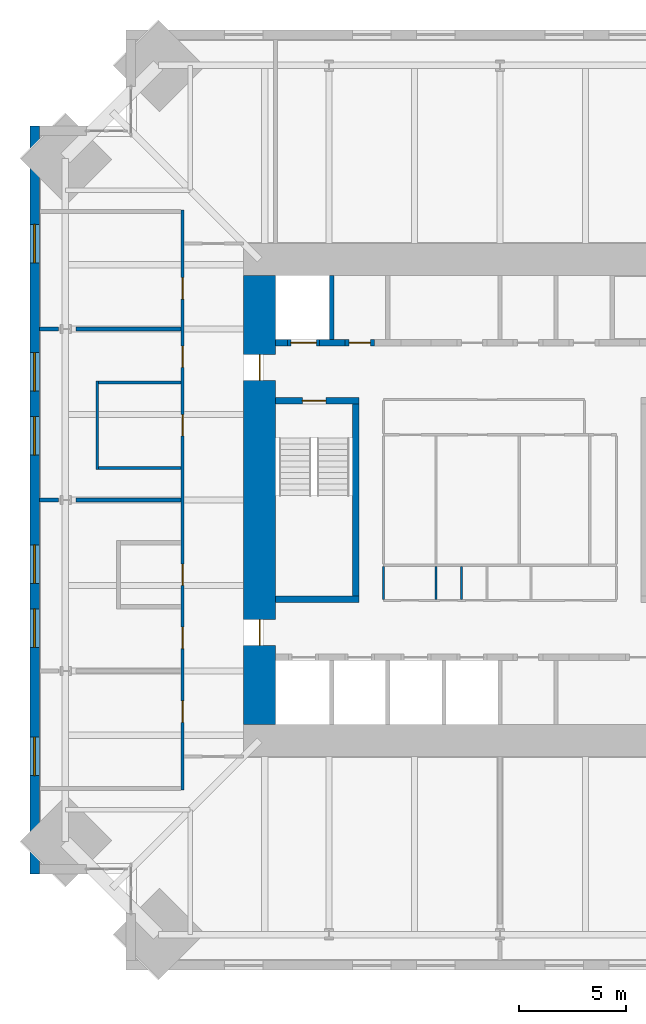
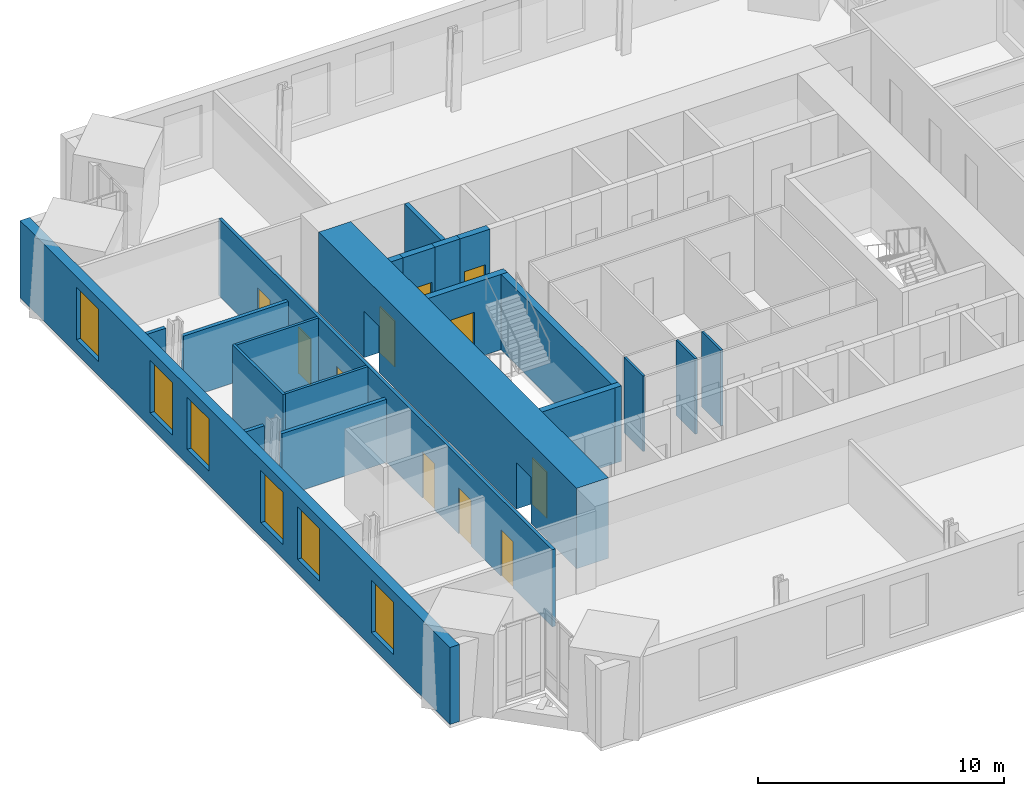
# One storey, part 12 of 16: 21 walls, 11 doors, 6 windows, 17 openings.
"""IFC4 building model written with IfcOpenShell, lengths in metres."""

from ifc_helpers import new_model, si_unit, direction, frame, frame_2d, origin, place, context, subcontext, project, spatial, rectangle, extrude, material, layer, layer_set, type_object, element, fill, save


model = new_model("IFC4")

# Units and contexts
model_context = context("Model", 3, precision=1e-05, world=origin(), true_north=direction((0.0, 1.0)))
body_context = subcontext(model_context, "Body", "Model", "MODEL_VIEW")
ifc_project = project(units=[si_unit("LENGTHUNIT", "METRE"), si_unit("AREAUNIT", "SQUARE_METRE"), si_unit("VOLUMEUNIT", "CUBIC_METRE"), si_unit("PLANEANGLEUNIT", "RADIAN"), si_unit("MASSUNIT", "GRAM", prefix="KILO")], contexts=[model_context])

# Site, building, storey
site_placement = place(None, origin())
site = spatial("IfcSite", under=ifc_project, at=site_placement, CompositionType="ELEMENT")
building_placement = place(site_placement, origin())
building = spatial("IfcBuilding", under=site, at=building_placement, Name="Peilmerk Tower", CompositionType="ELEMENT")
storey_placement = place(building_placement, frame((0.0, 0.0, 261.800048828125)))
storey = spatial("IfcBuildingStorey", under=building, at=storey_placement, Name="L58", CompositionType="ELEMENT", Elevation=261.800048828125)

# Wall, openings, windows
ifc_material_1 = material(Name="Precast concrete C45/55, board-marked finish", Category="concrete")
ifc_layer_1 = layer(ifc_material_1, 0.449951171875)
ifc_layer_set_1 = layer_set([ifc_layer_1], Name="Precast concrete C45/55, board-marked finish")
wall_type_1 = type_object("IfcWallType", Name="EW1 450 precast concrete facade wall, board-marked", PredefinedType="SOLIDWALL", material=ifc_layer_set_1)
wall_1_placement = place(storey_placement, frame((-21.77490234375, 17.5, 0.0), z_axis=(0.0, 0.0, 1.0), x_axis=(0.0, -1.0, 0.0)))
wall_1 = element("IfcWall", 1, at=wall_1_placement, inside=storey, type_object=wall_type_1, Name="Facade wall W L58", PredefinedType="SOLIDWALL", context=body_context, shape_type="SweptSolid", body=[
    extrude(rectangle(XDim=35.0, YDim=0.449951171875, at=frame_2d((17.5, 0.0))), origin(), (0.0, 0.0, 1.0), 3.829833984375),
])
opening_1_placement = place(wall_1_placement, frame((4.60009765625, 0.0, 0.699951171875)))
opening_1 = element("IfcOpeningElement", 2, at=opening_1_placement, cuts=wall_1, Name="Opening W1", PredefinedType="OPENING", context=body_context, shape_type="SweptSolid", body=[
    extrude(rectangle(XDim=1.800048828125, YDim=2.60009765625, at=frame_2d((0.89990234375, 1.300048828125))), frame((0.0, 0.23486328125, 0.0), z_axis=(0.0, -1.0, 0.0), x_axis=(1.0, 0.0, 0.0)), (0.0, 0.0, 1.0), 0.469970703125),
])
opening_2_placement = place(wall_1_placement, frame((10.60009765625, 0.0, 0.699951171875)))
opening_2 = element("IfcOpeningElement", 3, at=opening_2_placement, cuts=wall_1, Name="Opening W1", PredefinedType="OPENING", context=body_context, shape_type="SweptSolid", body=[
    extrude(rectangle(XDim=1.800048828125, YDim=2.60009765625, at=frame_2d((0.89990234375, 1.300048828125))), frame((0.0, 0.23486328125, 0.0), z_axis=(0.0, -1.0, 0.0), x_axis=(1.0, 0.0, 0.0)), (0.0, 0.0, 1.0), 0.469970703125),
])
opening_3_placement = place(wall_1_placement, frame((13.60009765625, 0.0, 0.699951171875)))
opening_3 = element("IfcOpeningElement", 4, at=opening_3_placement, cuts=wall_1, Name="Opening W1", PredefinedType="OPENING", context=body_context, shape_type="SweptSolid", body=[
    extrude(rectangle(XDim=1.800048828125, YDim=2.60009765625, at=frame_2d((0.89990234375, 1.300048828125))), frame((0.0, 0.23486328125, 0.0), z_axis=(0.0, -1.0, 0.0), x_axis=(1.0, 0.0, 0.0)), (0.0, 0.0, 1.0), 0.469970703125),
])
opening_4_placement = place(wall_1_placement, frame((19.60009765625, 0.0, 0.699951171875)))
opening_4 = element("IfcOpeningElement", 5, at=opening_4_placement, cuts=wall_1, Name="Opening W1", PredefinedType="OPENING", context=body_context, shape_type="SweptSolid", body=[
    extrude(rectangle(XDim=1.800048828125, YDim=2.60009765625, at=frame_2d((0.89990234375, 1.300048828125))), frame((0.0, 0.23486328125, 0.0), z_axis=(0.0, -1.0, 0.0), x_axis=(1.0, 0.0, 0.0)), (0.0, 0.0, 1.0), 0.469970703125),
])
opening_5_placement = place(wall_1_placement, frame((22.60009765625, 0.0, 0.699951171875)))
opening_5 = element("IfcOpeningElement", 6, at=opening_5_placement, cuts=wall_1, Name="Opening W1", PredefinedType="OPENING", context=body_context, shape_type="SweptSolid", body=[
    extrude(rectangle(XDim=1.800048828125, YDim=2.60009765625, at=frame_2d((0.89990234375, 1.300048828125))), frame((0.0, 0.23486328125, 0.0), z_axis=(0.0, -1.0, 0.0), x_axis=(1.0, 0.0, 0.0)), (0.0, 0.0, 1.0), 0.469970703125),
])
opening_6_placement = place(wall_1_placement, frame((28.60009765625, 0.0, 0.699951171875)))
opening_6 = element("IfcOpeningElement", 7, at=opening_6_placement, cuts=wall_1, Name="Opening W1", PredefinedType="OPENING", context=body_context, shape_type="SweptSolid", body=[
    extrude(rectangle(XDim=1.800048828125, YDim=2.60009765625, at=frame_2d((0.89990234375, 1.300048828125))), frame((0.0, 0.23486328125, 0.0), z_axis=(0.0, -1.0, 0.0), x_axis=(1.0, 0.0, 0.0)), (0.0, 0.0, 1.0), 0.469970703125),
])
ifc_material_2 = material(Name="Aluminium frame, clear double glazing", Category="aluminium")
window_type = type_object("IfcWindowType", Name="W1 1800x2600 office window", PartitioningType="SINGLE_PANEL", PredefinedType="WINDOW", material=ifc_material_2)
window_1_placement = place(opening_1_placement, origin())
window_1 = element("IfcWindow", 8, at=window_1_placement, inside=storey, type_object=window_type, Name="Window W1 L58", OverallHeight=2.60009765625, OverallWidth=1.800048828125, PartitioningType="SINGLE_PANEL", PredefinedType="WINDOW", context=body_context, shape_type="SweptSolid", body=[
    extrude(rectangle(XDim=1.800048828125, YDim=2.60009765625, at=frame_2d((0.89990234375, 1.300048828125))), frame((0.0, 0.030029296875, 0.0), z_axis=(0.0, -1.0, 0.0), x_axis=(1.0, 0.0, 0.0)), (0.0, 0.0, 1.0), 0.06005859375),
])
fill(opening_1, window_1)
window_2_placement = place(opening_2_placement, origin())
window_2 = element("IfcWindow", 9, at=window_2_placement, inside=storey, type_object=window_type, Name="Window W1 L58", OverallHeight=2.60009765625, OverallWidth=1.800048828125, PartitioningType="SINGLE_PANEL", PredefinedType="WINDOW", context=body_context, shape_type="SweptSolid", body=[
    extrude(rectangle(XDim=1.800048828125, YDim=2.60009765625, at=frame_2d((0.89990234375, 1.300048828125))), frame((0.0, 0.030029296875, 0.0), z_axis=(0.0, -1.0, 0.0), x_axis=(1.0, 0.0, 0.0)), (0.0, 0.0, 1.0), 0.06005859375),
])
fill(opening_2, window_2)
window_3_placement = place(opening_3_placement, origin())
window_3 = element("IfcWindow", 10, at=window_3_placement, inside=storey, type_object=window_type, Name="Window W1 L58", OverallHeight=2.60009765625, OverallWidth=1.800048828125, PartitioningType="SINGLE_PANEL", PredefinedType="WINDOW", context=body_context, shape_type="SweptSolid", body=[
    extrude(rectangle(XDim=1.800048828125, YDim=2.60009765625, at=frame_2d((0.89990234375, 1.300048828125))), frame((0.0, 0.030029296875, 0.0), z_axis=(0.0, -1.0, 0.0), x_axis=(1.0, 0.0, 0.0)), (0.0, 0.0, 1.0), 0.06005859375),
])
fill(opening_3, window_3)
window_4_placement = place(opening_4_placement, origin())
window_4 = element("IfcWindow", 11, at=window_4_placement, inside=storey, type_object=window_type, Name="Window W1 L58", OverallHeight=2.60009765625, OverallWidth=1.800048828125, PartitioningType="SINGLE_PANEL", PredefinedType="WINDOW", context=body_context, shape_type="SweptSolid", body=[
    extrude(rectangle(XDim=1.800048828125, YDim=2.60009765625, at=frame_2d((0.89990234375, 1.300048828125))), frame((0.0, 0.030029296875, 0.0), z_axis=(0.0, -1.0, 0.0), x_axis=(1.0, 0.0, 0.0)), (0.0, 0.0, 1.0), 0.06005859375),
])
fill(opening_4, window_4)
window_5_placement = place(opening_5_placement, origin())
window_5 = element("IfcWindow", 12, at=window_5_placement, inside=storey, type_object=window_type, Name="Window W1 L58", OverallHeight=2.60009765625, OverallWidth=1.800048828125, PartitioningType="SINGLE_PANEL", PredefinedType="WINDOW", context=body_context, shape_type="SweptSolid", body=[
    extrude(rectangle(XDim=1.800048828125, YDim=2.60009765625, at=frame_2d((0.89990234375, 1.300048828125))), frame((0.0, 0.030029296875, 0.0), z_axis=(0.0, -1.0, 0.0), x_axis=(1.0, 0.0, 0.0)), (0.0, 0.0, 1.0), 0.06005859375),
])
fill(opening_5, window_5)
window_6_placement = place(opening_6_placement, origin())
window_6 = element("IfcWindow", 13, at=window_6_placement, inside=storey, type_object=window_type, Name="Window W1 L58", OverallHeight=2.60009765625, OverallWidth=1.800048828125, PartitioningType="SINGLE_PANEL", PredefinedType="WINDOW", context=body_context, shape_type="SweptSolid", body=[
    extrude(rectangle(XDim=1.800048828125, YDim=2.60009765625, at=frame_2d((0.89990234375, 1.300048828125))), frame((0.0, 0.030029296875, 0.0), z_axis=(0.0, -1.0, 0.0), x_axis=(1.0, 0.0, 0.0)), (0.0, 0.0, 1.0), 0.06005859375),
])
fill(opening_6, window_6)

# Wall, openings, doors
ifc_material_3 = material(Name="Calcium silicate block", Category="masonry")
ifc_layer_2 = layer(ifc_material_3, 0.14990234375)
ifc_layer_set_2 = layer_set([ifc_layer_2], Name="Calcium silicate block")
wall_type_2 = type_object("IfcWallType", Name="IW1 150 corridor partition, EI 60", PredefinedType="PARTITIONING", material=ifc_layer_set_2)
wall_2_placement = place(storey_placement, frame((-14.85009765625, 13.574951171875, 0.0), z_axis=(0.0, 0.0, 1.0), x_axis=(0.0, -1.0, 0.0)))
wall_2 = element("IfcWall", 14, at=wall_2_placement, inside=storey, type_object=wall_type_2, Name="Corridor wall W L58", PredefinedType="PARTITIONING", context=body_context, shape_type="SweptSolid", body=[
    extrude(rectangle(XDim=27.14990234375, YDim=0.14990234375, at=frame_2d((13.574951171875, 0.0))), origin(), (0.0, 0.0, 1.0), 3.829833984375),
])
opening_7_placement = place(wall_2_placement, frame((22.97509765625, 0.0, 0.0)))
opening_7 = element("IfcOpeningElement", 15, at=opening_7_placement, cuts=wall_2, Name="Opening D1", PredefinedType="OPENING", context=body_context, shape_type="SweptSolid", body=[
    extrude(rectangle(XDim=1.0, YDim=2.300048828125, at=frame_2d((0.5, 1.14990234375))), frame((0.0, 0.0849609375, 0.0), z_axis=(0.0, -1.0, 0.0), x_axis=(1.0, 0.0, 0.0)), (0.0, 0.0, 1.0), 0.169921875),
])
opening_8_placement = place(wall_2_placement, frame((19.52490234375, 0.0, 0.0)))
opening_8 = element("IfcOpeningElement", 16, at=opening_8_placement, cuts=wall_2, Name="Opening D1", PredefinedType="OPENING", context=body_context, shape_type="SweptSolid", body=[
    extrude(rectangle(XDim=1.0, YDim=2.300048828125, at=frame_2d((0.5, 1.14990234375))), frame((0.0, 0.0849609375, 0.0), z_axis=(0.0, -1.0, 0.0), x_axis=(1.0, 0.0, 0.0)), (0.0, 0.0, 1.0), 0.169921875),
])
opening_9_placement = place(wall_2_placement, frame((6.375, 0.0, 0.0)))
opening_9 = element("IfcOpeningElement", 17, at=opening_9_placement, cuts=wall_2, Name="Opening D1", PredefinedType="OPENING", context=body_context, shape_type="SweptSolid", body=[
    extrude(rectangle(XDim=1.0, YDim=2.300048828125, at=frame_2d((0.5, 1.14990234375))), frame((0.0, 0.0849609375, 0.0), z_axis=(0.0, -1.0, 0.0), x_axis=(1.0, 0.0, 0.0)), (0.0, 0.0, 1.0), 0.169921875),
])
opening_10_placement = place(wall_2_placement, frame((3.175048828125, 0.0, 0.0)))
opening_10 = element("IfcOpeningElement", 18, at=opening_10_placement, cuts=wall_2, Name="Opening D1", PredefinedType="OPENING", context=body_context, shape_type="SweptSolid", body=[
    extrude(rectangle(XDim=1.0, YDim=2.300048828125, at=frame_2d((0.5, 1.14990234375))), frame((0.0, 0.0849609375, 0.0), z_axis=(0.0, -1.0, 0.0), x_axis=(1.0, 0.0, 0.0)), (0.0, 0.0, 1.0), 0.169921875),
])
opening_11_placement = place(wall_2_placement, frame((9.574951171875, 0.0, 0.0)))
opening_11 = element("IfcOpeningElement", 19, at=opening_11_placement, cuts=wall_2, Name="Opening D1", PredefinedType="OPENING", context=body_context, shape_type="SweptSolid", body=[
    extrude(rectangle(XDim=1.0, YDim=2.300048828125, at=frame_2d((0.5, 1.14990234375))), frame((0.0, 0.0849609375, 0.0), z_axis=(0.0, -1.0, 0.0), x_axis=(1.0, 0.0, 0.0)), (0.0, 0.0, 1.0), 0.169921875),
])
opening_12_placement = place(wall_2_placement, frame((16.574951171875, 0.0, 0.0)))
opening_12 = element("IfcOpeningElement", 20, at=opening_12_placement, cuts=wall_2, Name="Opening D1", PredefinedType="OPENING", context=body_context, shape_type="SweptSolid", body=[
    extrude(rectangle(XDim=1.0, YDim=2.300048828125, at=frame_2d((0.5, 1.14990234375))), frame((0.0, 0.0849609375, 0.0), z_axis=(0.0, -1.0, 0.0), x_axis=(1.0, 0.0, 0.0)), (0.0, 0.0, 1.0), 0.169921875),
])
ifc_material_4 = material(Name="Timber door in steel frame", Category="steel")
door_type_1 = type_object("IfcDoorType", Name="D1 1000x2300 room door, EI2 30", OperationType="SINGLE_SWING_LEFT", PredefinedType="DOOR", material=ifc_material_4)
door_1_placement = place(opening_7_placement, frame((1.0, 0.0, 0.0), z_axis=(0.0, 0.0, 1.0), x_axis=(-1.0, 0.0, 0.0)))
door_1 = element("IfcDoor", 21, at=door_1_placement, inside=storey, type_object=door_type_1, Name="Door Office L58", OperationType="SINGLE_SWING_LEFT", OverallHeight=2.300048828125, OverallWidth=1.0, PredefinedType="DOOR", context=body_context, shape_type="SweptSolid", body=[
    extrude(rectangle(XDim=1.0, YDim=2.300048828125, at=frame_2d((0.5, 1.14990234375))), frame((0.0, 0.02490234375, 0.0), z_axis=(0.0, -1.0, 0.0), x_axis=(1.0, 0.0, 0.0)), (0.0, 0.0, 1.0), 0.050048828125),
])
fill(opening_7, door_1)
door_2_placement = place(opening_8_placement, frame((1.0, 0.0, 0.0), z_axis=(0.0, 0.0, 1.0), x_axis=(-1.0, 0.0, 0.0)))
door_2 = element("IfcDoor", 22, at=door_2_placement, inside=storey, type_object=door_type_1, Name="Door Office L58", OperationType="SINGLE_SWING_LEFT", OverallHeight=2.300048828125, OverallWidth=1.0, PredefinedType="DOOR", context=body_context, shape_type="SweptSolid", body=[
    extrude(rectangle(XDim=1.0, YDim=2.300048828125, at=frame_2d((0.5, 1.14990234375))), frame((0.0, 0.02490234375, 0.0), z_axis=(0.0, -1.0, 0.0), x_axis=(1.0, 0.0, 0.0)), (0.0, 0.0, 1.0), 0.050048828125),
])
fill(opening_8, door_2)
door_3_placement = place(opening_9_placement, frame((1.0, 0.0, 0.0), z_axis=(0.0, 0.0, 1.0), x_axis=(-1.0, 0.0, 0.0)))
door_3 = element("IfcDoor", 23, at=door_3_placement, inside=storey, type_object=door_type_1, Name="Door Office L58", OperationType="SINGLE_SWING_LEFT", OverallHeight=2.300048828125, OverallWidth=1.0, PredefinedType="DOOR", context=body_context, shape_type="SweptSolid", body=[
    extrude(rectangle(XDim=1.0, YDim=2.300048828125, at=frame_2d((0.5, 1.14990234375))), frame((0.0, 0.02490234375, 0.0), z_axis=(0.0, -1.0, 0.0), x_axis=(1.0, 0.0, 0.0)), (0.0, 0.0, 1.0), 0.050048828125),
])
fill(opening_9, door_3)
door_4_placement = place(opening_10_placement, frame((1.0, 0.0, 0.0), z_axis=(0.0, 0.0, 1.0), x_axis=(-1.0, 0.0, 0.0)))
door_4 = element("IfcDoor", 24, at=door_4_placement, inside=storey, type_object=door_type_1, Name="Door Office L58", OperationType="SINGLE_SWING_LEFT", OverallHeight=2.300048828125, OverallWidth=1.0, PredefinedType="DOOR", context=body_context, shape_type="SweptSolid", body=[
    extrude(rectangle(XDim=1.0, YDim=2.300048828125, at=frame_2d((0.5, 1.14990234375))), frame((0.0, 0.02490234375, 0.0), z_axis=(0.0, -1.0, 0.0), x_axis=(1.0, 0.0, 0.0)), (0.0, 0.0, 1.0), 0.050048828125),
])
fill(opening_10, door_4)
door_5_placement = place(opening_11_placement, frame((1.0, 0.0, 0.0), z_axis=(0.0, 0.0, 1.0), x_axis=(-1.0, 0.0, 0.0)))
door_5 = element("IfcDoor", 25, at=door_5_placement, inside=storey, type_object=door_type_1, Name="Door Meeting room L58", OperationType="SINGLE_SWING_LEFT", OverallHeight=2.300048828125, OverallWidth=1.0, PredefinedType="DOOR", context=body_context, shape_type="SweptSolid", body=[
    extrude(rectangle(XDim=1.0, YDim=2.300048828125, at=frame_2d((0.5, 1.14990234375))), frame((0.0, 0.02490234375, 0.0), z_axis=(0.0, -1.0, 0.0), x_axis=(1.0, 0.0, 0.0)), (0.0, 0.0, 1.0), 0.050048828125),
])
fill(opening_11, door_5)
door_6_placement = place(opening_12_placement, frame((1.0, 0.0, 0.0), z_axis=(0.0, 0.0, 1.0), x_axis=(-1.0, 0.0, 0.0)))
door_6 = element("IfcDoor", 26, at=door_6_placement, inside=storey, type_object=door_type_1, Name="Door Print room L58", OperationType="SINGLE_SWING_LEFT", OverallHeight=2.300048828125, OverallWidth=1.0, PredefinedType="DOOR", context=body_context, shape_type="SweptSolid", body=[
    extrude(rectangle(XDim=1.0, YDim=2.300048828125, at=frame_2d((0.5, 1.14990234375))), frame((0.0, 0.02490234375, 0.0), z_axis=(0.0, -1.0, 0.0), x_axis=(1.0, 0.0, 0.0)), (0.0, 0.0, 1.0), 0.050048828125),
])
fill(opening_12, door_6)

# Wall
ifc_material_5 = material(Name="Concrete C35/45", Category="concrete")
ifc_layer_3 = layer(ifc_material_5, 0.300048828125)
ifc_layer_set_3 = layer_set([ifc_layer_3], Name="Concrete C35/45")
wall_type_3 = type_object("IfcWallType", Name="IW3 300 concrete stair enclosure wall, EI 120", PredefinedType="SOLIDWALL", material=ifc_layer_set_3)
wall_3_placement = place(storey_placement, frame((-6.75, -4.800048828125, 0.0), z_axis=(0.0, 0.0, 1.0), x_axis=(0.0, 1.0, 0.0)))
element("IfcWall", 27, at=wall_3_placement, inside=storey, type_object=wall_type_3, Name="Stair 1 enclosure L58", PredefinedType="SOLIDWALL", context=body_context, shape_type="SweptSolid", body=[
    extrude(rectangle(XDim=9.60009765625, YDim=0.300048828125, at=frame_2d((4.800048828125, 0.0))), origin(), (0.0, 0.0, 1.0), 3.75),
])

# Wall, opening, door
wall_4_placement = place(storey_placement, frame((-10.5, 4.64990234375, 0.0), z_axis=(0.0, 0.0, 1.0), x_axis=(1.0, 0.0, 0.0)))
wall_4 = element("IfcWall", 28, at=wall_4_placement, inside=storey, type_object=wall_type_3, Name="Stair 1 enclosure L58", PredefinedType="SOLIDWALL", context=body_context, shape_type="SweptSolid", body=[
    extrude(rectangle(XDim=3.89990234375, YDim=0.300048828125, at=frame_2d((1.949951171875, 0.0))), origin(), (0.0, 0.0, 1.0), 3.75),
])
opening_13_placement = place(wall_4_placement, frame((1.25, 0.0, 0.0)))
opening_13 = element("IfcOpeningElement", 29, at=opening_13_placement, cuts=wall_4, Name="Opening D4", PredefinedType="OPENING", context=body_context, shape_type="SweptSolid", body=[
    extrude(rectangle(XDim=1.10009765625, YDim=2.300048828125, at=frame_2d((0.550048828125, 1.14990234375))), frame((0.0, 0.159912109375, 0.0), z_axis=(0.0, -1.0, 0.0), x_axis=(1.0, 0.0, 0.0)), (0.0, 0.0, 1.0), 0.320068359375),
])
ifc_material_6 = material(Name="Steel door in steel frame", Category="steel")
door_type_2 = type_object("IfcDoorType", Name="D4 1100x2300 stair door, EI2 60", OperationType="SINGLE_SWING_RIGHT", PredefinedType="DOOR", material=ifc_material_6)
door_7_placement = place(opening_13_placement, frame((1.10009765625, 0.0, 0.0), z_axis=(0.0, 0.0, 1.0), x_axis=(-1.0, 0.0, 0.0)))
door_7 = element("IfcDoor", 30, at=door_7_placement, inside=storey, type_object=door_type_2, Name="Stair 1 door L58", OperationType="SINGLE_SWING_RIGHT", OverallHeight=2.300048828125, OverallWidth=1.10009765625, PredefinedType="DOOR", context=body_context, shape_type="SweptSolid", body=[
    extrude(rectangle(XDim=1.10009765625, YDim=2.300048828125, at=frame_2d((0.550048828125, 1.14990234375))), frame((0.0, 0.02490234375, 0.0), z_axis=(0.0, -1.0, 0.0), x_axis=(1.0, 0.0, 0.0)), (0.0, 0.0, 1.0), 0.050048828125),
])
fill(opening_13, door_7)

# Walls
wall_5_placement = place(storey_placement, frame((-6.60009765625, -4.64990234375, 0.0), z_axis=(0.0, 0.0, 1.0), x_axis=(-1.0, 0.0, 0.0)))
element("IfcWall", 31, at=wall_5_placement, inside=storey, type_object=wall_type_3, Name="Stair 1 enclosure L58", PredefinedType="SOLIDWALL", context=body_context, shape_type="SweptSolid", body=[
    extrude(rectangle(XDim=3.89990234375, YDim=0.300048828125, at=frame_2d((1.949951171875, 0.0))), origin(), (0.0, 0.0, 1.0), 3.75),
])
ifc_material_7 = material(Name="Calcium silicate board on steel studs", Category="steel")
ifc_layer_4 = layer(ifc_material_7, 0.10009765625)
ifc_layer_set_4 = layer_set([ifc_layer_4], Name="Calcium silicate board on steel studs")
wall_type_4 = type_object("IfcWallType", Name="IW5 100 riser enclosure wall, EI 60", PredefinedType="PARTITIONING", material=ifc_layer_set_4)
for number, where, z_axis, x_axis, name in (
    (32, (-5.449951171875, -3.10009765625, 0.0), (0.0, 0.0, 1.0), (0.0, -1.0, 0.0), "Riser wall L58"),
    (33, (-3.0, -3.10009765625, 0.0), (0.0, 0.0, 1.0), (0.0, -1.0, 0.0), "Riser wall L58"),
    (34, (-1.800048828125, -3.10009765625, 0.0), (0.0, 0.0, 1.0), (0.0, -1.0, 0.0), "Riser wall L58"),
):
    element("IfcWall", number, at=place(storey_placement, frame(where, z_axis=z_axis, x_axis=x_axis)), inside=storey, type_object=wall_type_4, Name=name, PredefinedType="PARTITIONING", context=body_context, shape_type="SweptSolid", body=[
        extrude(rectangle(XDim=1.5498046875, YDim=0.10009765625, at=frame_2d((0.77490234375, 0.0))), origin(), (0.0, 0.0, 1.0), 3.75),
    ])
ifc_material_8 = material(Name="Plasterboard on steel studs, double boarded with mineral wool", Category="steel")
ifc_layer_5 = layer(ifc_material_8, 0.125)
ifc_layer_set_5 = layer_set([ifc_layer_5], Name="Plasterboard on steel studs, double boarded with mineral wool")
wall_type_5 = type_object("IfcWallType", Name="IW7 125 acoustic partition, EI 30", PredefinedType="PARTITIONING", material=ifc_layer_set_5)
wall_6_placement = place(storey_placement, frame((-18.85009765625, 1.4375, 0.0), z_axis=(0.0, 0.0, 1.0), x_axis=(0.0, 1.0, 0.0)))
element("IfcWall", 35, at=wall_6_placement, inside=storey, type_object=wall_type_5, Name="Acoustic partition Meeting room L58", PredefinedType="PARTITIONING", context=body_context, shape_type="SweptSolid", body=[
    extrude(rectangle(XDim=4.125, YDim=0.125, at=frame_2d((2.0625, 0.0))), origin(), (0.0, 0.0, 1.0), 3.829833984375),
])
for number, where, z_axis, x_axis, name in (
    (36, (-14.925048828125, 1.5, 0.0), (0.0, 0.0, 1.0), (-1.0, 0.0, 0.0), "Acoustic partition Meeting room L58"),
    (37, (-14.925048828125, 5.5, 0.0), (0.0, 0.0, 1.0), (-1.0, 0.0, 0.0), "Acoustic partition Meeting room L58"),
):
    element("IfcWall", number, at=place(storey_placement, frame(where, z_axis=z_axis, x_axis=x_axis)), inside=storey, type_object=wall_type_5, Name=name, PredefinedType="PARTITIONING", context=body_context, shape_type="SweptSolid", body=[
        extrude(rectangle(XDim=3.862548828125, YDim=0.125, at=frame_2d((1.93115234375, 0.0))), origin(), (0.0, 0.0, 1.0), 3.829833984375),
    ])
ifc_layer_6 = layer(ifc_material_3, 0.175048828125)
ifc_layer_set_6 = layer_set([ifc_layer_6], Name="Calcium silicate block")
wall_type_6 = type_object("IfcWallType", Name="IW8 175 tenant separating wall, EI 60", PredefinedType="PARTITIONING", material=ifc_layer_set_6)
wall_7_placement = place(storey_placement, frame((-14.925048828125, 0.0, 0.0), z_axis=(0.0, 0.0, 1.0), x_axis=(-1.0, 0.0, 0.0)))
element("IfcWall", 38, at=wall_7_placement, inside=storey, type_object=wall_type_6, Name="Tenant separating wall W2 L58", PredefinedType="PARTITIONING", context=body_context, shape_type="SweptSolid", body=[
    extrude(rectangle(XDim=4.92431640625, YDim=0.175048828125, at=frame_2d((2.462158203125, 0.0))), origin(), (0.0, 0.0, 1.0), 3.139892578125),
])
wall_8_placement = place(storey_placement, frame((-20.669921875, 0.0, 0.0), z_axis=(0.0, 0.0, 1.0), x_axis=(-1.0, 0.0, 0.0)))
element("IfcWall", 39, at=wall_8_placement, inside=storey, type_object=wall_type_6, Name="Tenant separating wall W2b L58", PredefinedType="PARTITIONING", context=body_context, shape_type="SweptSolid", body=[
    extrude(rectangle(XDim=0.880126953125, YDim=0.175048828125, at=frame_2d((0.43994140625, 0.0))), origin(), (0.0, 0.0, 1.0), 3.829833984375),
])
wall_9_placement = place(storey_placement, frame((-14.925048828125, 8.0, 0.0), z_axis=(0.0, 0.0, 1.0), x_axis=(-1.0, 0.0, 0.0)))
element("IfcWall", 40, at=wall_9_placement, inside=storey, type_object=wall_type_6, Name="Tenant separating wall W3 L58", PredefinedType="PARTITIONING", context=body_context, shape_type="SweptSolid", body=[
    extrude(rectangle(XDim=4.92431640625, YDim=0.175048828125, at=frame_2d((2.462158203125, 0.0))), origin(), (0.0, 0.0, 1.0), 3.139892578125),
])
wall_10_placement = place(storey_placement, frame((-20.669921875, 8.0, 0.0), z_axis=(0.0, 0.0, 1.0), x_axis=(-1.0, 0.0, 0.0)))
element("IfcWall", 41, at=wall_10_placement, inside=storey, type_object=wall_type_6, Name="Tenant separating wall W3b L58", PredefinedType="PARTITIONING", context=body_context, shape_type="SweptSolid", body=[
    extrude(rectangle(XDim=0.880126953125, YDim=0.175048828125, at=frame_2d((0.43994140625, 0.0))), origin(), (0.0, 0.0, 1.0), 3.829833984375),
])
ifc_layer_7 = layer(ifc_material_3, 0.199951171875)
ifc_layer_set_7 = layer_set([ifc_layer_7], Name="Calcium silicate block")
wall_type_7 = type_object("IfcWallType", Name="SH1 200 shaft dividing wall, EI 120", PredefinedType="PARTITIONING", material=ifc_layer_set_7)
wall_11_placement = place(storey_placement, frame((-7.875, 7.5, 0.0), z_axis=(0.0, 0.0, 1.0), x_axis=(0.0, 1.0, 0.0)))
element("IfcWall", 42, at=wall_11_placement, inside=storey, type_object=wall_type_7, Name="Shaft wall N FL1 L58", PredefinedType="PARTITIONING", context=body_context, shape_type="SweptSolid", body=[
    extrude(rectangle(XDim=3.0, YDim=0.199951171875, at=frame_2d((1.5, 0.0))), origin(), (0.0, 0.0, 1.0), 4.0),
])

# Wall, opening, door
ifc_layer_8 = layer(ifc_material_3, 0.300048828125)
ifc_layer_set_8 = layer_set([ifc_layer_8], Name="Calcium silicate block")
wall_type_8 = type_object("IfcWallType", Name="SH2 300 lift landing door panel, EI 120", PredefinedType="PARTITIONING", material=ifc_layer_set_8)
wall_12_placement = place(storey_placement, frame((-9.9375, 7.35009765625, 0.0), z_axis=(0.0, 0.0, 1.0), x_axis=(1.0, 0.0, 0.0)))
wall_12 = element("IfcWall", 43, at=wall_12_placement, inside=storey, type_object=wall_type_8, Name="Lift door panel N FL1 L58", PredefinedType="PARTITIONING", context=body_context, shape_type="SweptSolid", body=[
    extrude(rectangle(XDim=1.5, YDim=0.300048828125, at=frame_2d((0.75, 0.0))), origin(), (0.0, 0.0, 1.0), 4.0),
])
opening_14_placement = place(wall_12_placement, frame((0.14990234375, 0.0, 0.0)))
opening_14 = element("IfcOpeningElement", 44, at=opening_14_placement, cuts=wall_12, Name="Opening LD2", PredefinedType="OPENING", context=body_context, shape_type="SweptSolid", body=[
    extrude(rectangle(XDim=1.199951171875, YDim=2.300048828125, at=frame_2d((0.60009765625, 1.14990234375))), frame((0.0, 0.159912109375, 0.0), z_axis=(0.0, -1.0, 0.0), x_axis=(1.0, 0.0, 0.0)), (0.0, 0.0, 1.0), 0.320068359375),
])
ifc_material_9 = material(Name="Stainless steel landing door", Category="steel")
door_type_3 = type_object("IfcDoorType", Name="LD2 1200x2300 lift landing door, sliding, EI2 60", OperationType="SLIDING_TO_LEFT", PredefinedType="DOOR", material=ifc_material_9)
door_8_placement = place(opening_14_placement, frame((1.199951171875, 0.0, 0.0), z_axis=(0.0, 0.0, 1.0), x_axis=(-1.0, 0.0, 0.0)))
door_8 = element("IfcDoor", 45, at=door_8_placement, inside=storey, type_object=door_type_3, Name="Lift landing door FL1 L58", OperationType="SLIDING_TO_LEFT", OverallHeight=2.300048828125, OverallWidth=1.199951171875, PredefinedType="DOOR", context=body_context, shape_type="SweptSolid", body=[
    extrude(rectangle(XDim=1.199951171875, YDim=2.300048828125, at=frame_2d((0.60009765625, 1.14990234375))), frame((0.0, 0.02490234375, 0.0), z_axis=(0.0, -1.0, 0.0), x_axis=(1.0, 0.0, 0.0)), (0.0, 0.0, 1.0), 0.050048828125),
])
fill(opening_14, door_8)

wall_13_placement = place(storey_placement, frame((-7.262451171875, 7.35009765625, 0.0), z_axis=(0.0, 0.0, 1.0), x_axis=(1.0, 0.0, 0.0)))
wall_13 = element("IfcWall", 46, at=wall_13_placement, inside=storey, type_object=wall_type_8, Name="Lift door panel N A1 L58", PredefinedType="PARTITIONING", context=body_context, shape_type="SweptSolid", body=[
    extrude(rectangle(XDim=1.39990234375, YDim=0.300048828125, at=frame_2d((0.699951171875, 0.0))), origin(), (0.0, 0.0, 1.0), 4.0),
])
opening_15_placement = place(wall_13_placement, frame((0.199951171875, 0.0, 0.0)))
opening_15 = element("IfcOpeningElement", 47, at=opening_15_placement, cuts=wall_13, Name="Opening D10", PredefinedType="OPENING", context=body_context, shape_type="SweptSolid", body=[
    extrude(rectangle(XDim=1.0, YDim=2.300048828125, at=frame_2d((0.5, 1.14990234375))), frame((0.0, 0.159912109375, 0.0), z_axis=(0.0, -1.0, 0.0), x_axis=(1.0, 0.0, 0.0)), (0.0, 0.0, 1.0), 0.320068359375),
])
door_type_4 = type_object("IfcDoorType", Name="D10 1000x2300 core room door, EI2 60", OperationType="SINGLE_SWING_RIGHT", PredefinedType="DOOR", material=ifc_material_6)
door_9_placement = place(opening_15_placement, origin())
door_9 = element("IfcDoor", 48, at=door_9_placement, inside=storey, type_object=door_type_4, Name="Door Staff WC L58", OperationType="SINGLE_SWING_RIGHT", OverallHeight=2.300048828125, OverallWidth=1.0, PredefinedType="DOOR", context=body_context, shape_type="SweptSolid", body=[
    extrude(rectangle(XDim=1.0, YDim=2.300048828125, at=frame_2d((0.5, 1.14990234375))), frame((0.0, 0.02490234375, 0.0), z_axis=(0.0, -1.0, 0.0), x_axis=(1.0, 0.0, 0.0)), (0.0, 0.0, 1.0), 0.050048828125),
])
fill(opening_15, door_9)

# Wall, openings, doors
ifc_material_10 = material(Name="Concrete C55/67", Category="concrete")
ifc_layer_9 = layer(ifc_material_10, 1.5)
ifc_layer_set_9 = layer_set([ifc_layer_9], Name="Concrete C55/67")
wall_type_9 = type_object("IfcWallType", Name="SW1 1500 core wall", PredefinedType="SHEAR", material=ifc_layer_set_9)
wall_14_placement = place(storey_placement, frame((-11.25, -10.5, 0.0), z_axis=(0.0, 0.0, 1.0), x_axis=(0.0, 1.0, 0.0)))
wall_14 = element("IfcWall", 49, at=wall_14_placement, inside=storey, type_object=wall_type_9, Name="Core wall W L58", PredefinedType="SHEAR", context=body_context, shape_type="SweptSolid", body=[
    extrude(rectangle(XDim=21.0, YDim=1.5, at=frame_2d((10.5, 0.0))), origin(), (0.0, 0.0, 1.0), 4.0),
])
opening_16_placement = place(wall_14_placement, frame((16.10009765625, 0.0, 0.0)))
opening_16 = element("IfcOpeningElement", 50, at=opening_16_placement, cuts=wall_14, Name="Opening D3", PredefinedType="OPENING", context=body_context, shape_type="SweptSolid", body=[
    extrude(rectangle(XDim=1.199951171875, YDim=2.300048828125, at=frame_2d((0.60009765625, 1.14990234375))), frame((0.0, 0.760009765625, 0.0), z_axis=(0.0, -1.0, 0.0), x_axis=(1.0, 0.0, 0.0)), (0.0, 0.0, 1.0), 1.52001953125),
])
opening_17_placement = place(wall_14_placement, frame((3.699951171875, 0.0, 0.0)))
opening_17 = element("IfcOpeningElement", 51, at=opening_17_placement, cuts=wall_14, Name="Opening D3", PredefinedType="OPENING", context=body_context, shape_type="SweptSolid", body=[
    extrude(rectangle(XDim=1.199951171875, YDim=2.300048828125, at=frame_2d((0.60009765625, 1.14990234375))), frame((0.0, 0.760009765625, 0.0), z_axis=(0.0, -1.0, 0.0), x_axis=(1.0, 0.0, 0.0)), (0.0, 0.0, 1.0), 1.52001953125),
])
door_type_5 = type_object("IfcDoorType", Name="D3 1200x2300 core door, EI2 60", OperationType="SINGLE_SWING_LEFT", PredefinedType="DOOR", material=ifc_material_6)
door_10_placement = place(opening_16_placement, frame((1.199951171875, 0.0, 0.0), z_axis=(0.0, 0.0, 1.0), x_axis=(-1.0, 0.0, 0.0)))
door_10 = element("IfcDoor", 52, at=door_10_placement, inside=storey, type_object=door_type_5, Name="Core door L58", OperationType="SINGLE_SWING_LEFT", OverallHeight=2.300048828125, OverallWidth=1.199951171875, PredefinedType="DOOR", context=body_context, shape_type="SweptSolid", body=[
    extrude(rectangle(XDim=1.199951171875, YDim=2.300048828125, at=frame_2d((0.60009765625, 1.14990234375))), frame((0.0, 0.02490234375, 0.0), z_axis=(0.0, -1.0, 0.0), x_axis=(1.0, 0.0, 0.0)), (0.0, 0.0, 1.0), 0.050048828125),
])
fill(opening_16, door_10)
door_11_placement = place(opening_17_placement, frame((1.199951171875, 0.0, 0.0), z_axis=(0.0, 0.0, 1.0), x_axis=(-1.0, 0.0, 0.0)))
door_11 = element("IfcDoor", 53, at=door_11_placement, inside=storey, type_object=door_type_5, Name="Core door L58", OperationType="SINGLE_SWING_LEFT", OverallHeight=2.300048828125, OverallWidth=1.199951171875, PredefinedType="DOOR", context=body_context, shape_type="SweptSolid", body=[
    extrude(rectangle(XDim=1.199951171875, YDim=2.300048828125, at=frame_2d((0.60009765625, 1.14990234375))), frame((0.0, 0.02490234375, 0.0), z_axis=(0.0, -1.0, 0.0), x_axis=(1.0, 0.0, 0.0)), (0.0, 0.0, 1.0), 0.050048828125),
])
fill(opening_17, door_11)

# Walls
ifc_layer_10 = layer(ifc_material_10, 0.300048828125)
ifc_layer_set_10 = layer_set([ifc_layer_10], Name="Concrete C55/67")
wall_type_10 = type_object("IfcWallType", Name="SW2 300 lift bank pier", PredefinedType="SHEAR", material=ifc_layer_set_10)
wall_15_placement = place(storey_placement, frame((-10.5, 7.35009765625, 0.0), z_axis=(0.0, 0.0, 1.0), x_axis=(1.0, 0.0, 0.0)))
element("IfcWall", 54, at=wall_15_placement, inside=storey, type_object=wall_type_10, Name="Lift bank pier N L58", PredefinedType="SHEAR", context=body_context, shape_type="SweptSolid", body=[
    extrude(rectangle(XDim=0.5625, YDim=0.300048828125, at=frame_2d((0.28125, 0.0))), origin(), (0.0, 0.0, 1.0), 4.0),
])
wall_16_placement = place(storey_placement, frame((-8.4375, 7.35009765625, 0.0), z_axis=(0.0, 0.0, 1.0), x_axis=(1.0, 0.0, 0.0)))
element("IfcWall", 55, at=wall_16_placement, inside=storey, type_object=wall_type_10, Name="Lift bank pier N L58", PredefinedType="SHEAR", context=body_context, shape_type="SweptSolid", body=[
    extrude(rectangle(XDim=1.175048828125, YDim=0.300048828125, at=frame_2d((0.58740234375, 0.0))), origin(), (0.0, 0.0, 1.0), 4.0),
])

save(model, "model.ifc")
